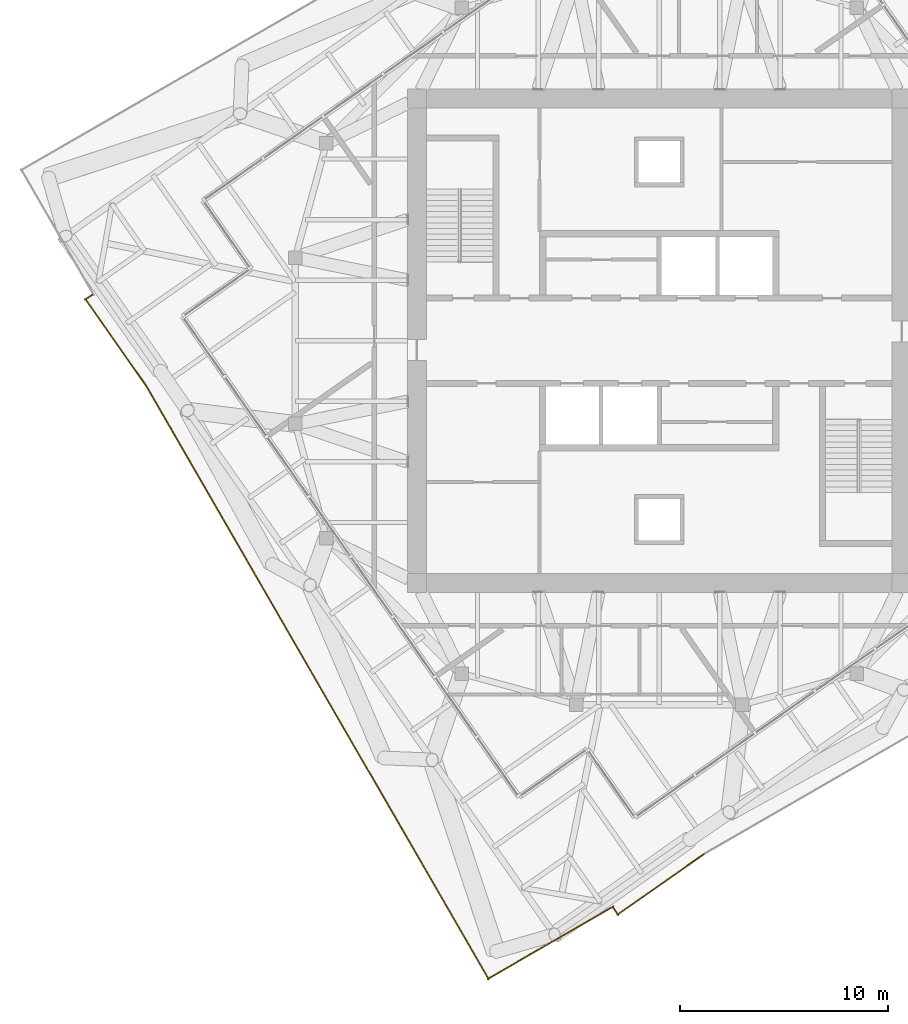
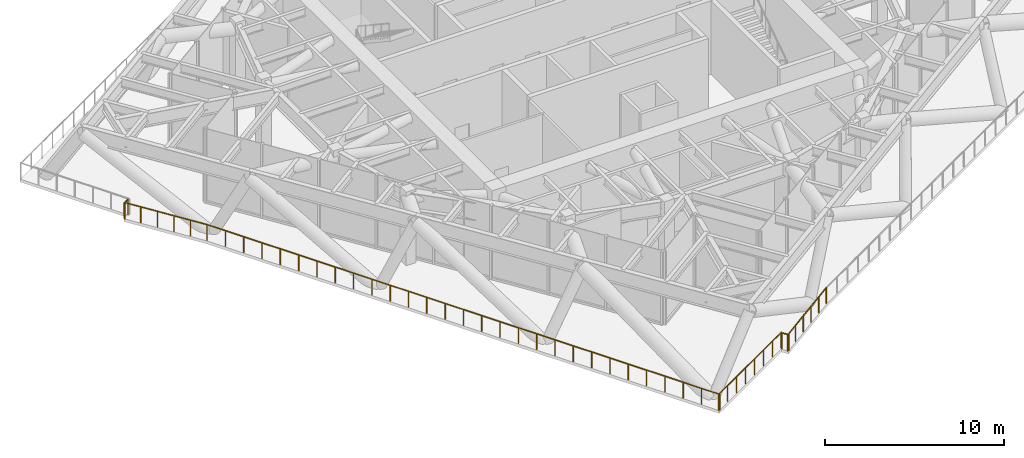
# One storey, part 12 of 16: 7 railings.
"""IFC4 building model written with IfcOpenShell, lengths in metres."""

from ifc_helpers import new_model, si_unit, direction, frame, origin, origin_2d, place, context, subcontext, project, spatial, circle, extrude, material, type_object, element, save


model = new_model("IFC4")

# Units and contexts
model_context = context("Model", 3, precision=1e-05, world=origin(), true_north=direction((0.0, 1.0)))
body_context = subcontext(model_context, "Body", "Model", "MODEL_VIEW")
ifc_project = project(units=[si_unit("LENGTHUNIT", "METRE"), si_unit("AREAUNIT", "SQUARE_METRE"), si_unit("VOLUMEUNIT", "CUBIC_METRE"), si_unit("PLANEANGLEUNIT", "RADIAN"), si_unit("MASSUNIT", "GRAM", prefix="KILO")], contexts=[model_context])

# Site, building, storey
site_placement = place(None, origin())
site = spatial("IfcSite", under=ifc_project, at=site_placement, CompositionType="ELEMENT")
building_placement = place(site_placement, origin())
building = spatial("IfcBuilding", under=site, at=building_placement, Name="Torsade Residences", CompositionType="ELEMENT")
storey_placement = place(building_placement, frame((0.0, 0.0, 235.39990234375)))
storey = spatial("IfcBuildingStorey", under=building, at=storey_placement, Name="L65", CompositionType="ELEMENT", Elevation=235.39990234375)

# Railings
ifc_material = material(Name="Galvanised steel guard rail", Category="steel")
railing_type = type_object("IfcRailingType", Name="ROOF EDGE GUARD 1100", PredefinedType="GUARDRAIL", material=ifc_material)
railing_1_placement = place(storey_placement, frame((35.20361328125, 1.3076171875, 0.0)))
element("IfcRailing", 1, at=railing_1_placement, inside=storey, type_object=railing_type, Name="Roof edge guard L65 1", PredefinedType="GUARDRAIL", context=body_context, shape_type="SweptSolid", body=[
    extrude(circle(Radius=0.02392578125, at=origin_2d()), frame((0.0, 0.0, 1.076171875), z_axis=(0.866000863443, 0.500042502709, 0.0), x_axis=(-0.500042502709, 0.866000863443, 0.0)), (0.0, 0.0, 1.0), 2.993408203125),
    extrude(circle(Radius=0.02099609375, at=origin_2d()), origin(), (0.0, 0.0, 1.0), 1.052001953125),
    extrude(circle(Radius=0.02099609375, at=origin_2d()), frame((0.864013671875, 0.4990234375, 0.0)), (0.0, 0.0, 1.0), 1.052001953125),
    extrude(circle(Radius=0.02099609375, at=origin_2d()), frame((1.728271484375, 0.997802734375, 0.0)), (0.0, 0.0, 1.0), 1.052001953125),
    extrude(circle(Radius=0.02099609375, at=origin_2d()), frame((2.59228515625, 1.496826171875, 0.0)), (0.0, 0.0, 1.0), 1.052001953125),
])
railing_2_placement = place(storey_placement, frame((37.782470703125, 2.743896484375, 0.0)))
element("IfcRailing", 2, at=railing_2_placement, inside=storey, type_object=railing_type, Name="Roof edge guard L65 2", PredefinedType="GUARDRAIL", context=body_context, shape_type="SweptSolid", body=[
    extrude(circle(Radius=0.02392578125, at=origin_2d()), frame((0.0, 0.0, 1.076171875), z_axis=(0.573425516096, -0.819257699073, 0.0), x_axis=(0.819257699073, 0.573425516096, 0.0)), (0.0, 0.0, 1.0), 0.44482421875),
    extrude(circle(Radius=0.02099609375, at=origin_2d()), origin(), (0.0, 0.0, 1.0), 1.052001953125),
    extrude(circle(Radius=0.02099609375, at=origin_2d()), frame((0.255126953125, -0.364501953125, 0.0)), (0.0, 0.0, 1.0), 1.052001953125),
])
railing_3_placement = place(storey_placement, frame((37.968017578125, 2.3916015625, 0.0)))
element("IfcRailing", 3, at=railing_3_placement, inside=storey, type_object=railing_type, Name="Roof edge guard L65 3", PredefinedType="GUARDRAIL", context=body_context, shape_type="SweptSolid", body=[
    extrude(circle(Radius=0.02392578125, at=origin_2d()), frame((0.0, 0.0, 1.076171875), z_axis=(0.819153075812, 0.573574963181, 0.0), x_axis=(-0.573574963181, 0.819153075812, 0.0)), (0.0, 0.0, 1.0), 5.092041015625),
    extrude(circle(Radius=0.02099609375, at=origin_2d()), origin(), (0.0, 0.0, 1.0), 1.052001953125),
    extrude(circle(Radius=0.02099609375, at=origin_2d()), frame((0.834228515625, 0.584228515625, 0.0)), (0.0, 0.0, 1.0), 1.052001953125),
    extrude(circle(Radius=0.02099609375, at=origin_2d()), frame((1.66845703125, 1.168212890625, 0.0)), (0.0, 0.0, 1.0), 1.052001953125),
    extrude(circle(Radius=0.02099609375, at=origin_2d()), frame((2.502685546875, 1.75244140625, 0.0)), (0.0, 0.0, 1.0), 1.052001953125),
    extrude(circle(Radius=0.02099609375, at=origin_2d()), frame((3.3369140625, 2.33642578125, 0.0)), (0.0, 0.0, 1.0), 1.052001953125),
    extrude(circle(Radius=0.02099609375, at=origin_2d()), frame((4.171142578125, 2.920654296875, 0.0)), (0.0, 0.0, 1.0), 1.052001953125),
])
railing_4_placement = place(storey_placement, frame((12.743896484375, 32.217529296875, 0.0)))
element("IfcRailing", 4, at=railing_4_placement, inside=storey, type_object=railing_type, Name="Roof edge guard L65 14", PredefinedType="GUARDRAIL", context=body_context, shape_type="SweptSolid", body=[
    extrude(circle(Radius=0.02392578125, at=origin_2d()), frame((0.0, 0.0, 1.076171875), z_axis=(-0.819257699073, -0.573425516096, 0.0), x_axis=(0.573425516096, -0.819257699073, 0.0)), (0.0, 0.0, 1.0), 0.44482421875),
    extrude(circle(Radius=0.02099609375, at=origin_2d()), origin(), (0.0, 0.0, 1.0), 1.052001953125),
    extrude(circle(Radius=0.02099609375, at=origin_2d()), frame((-0.364501953125, -0.255126953125, 0.0)), (0.0, 0.0, 1.0), 1.052001953125),
])
railing_5_placement = place(storey_placement, frame((12.3916015625, 32.031982421875, 0.0)))
element("IfcRailing", 5, at=railing_5_placement, inside=storey, type_object=railing_type, Name="Roof edge guard L65 15", PredefinedType="GUARDRAIL", context=body_context, shape_type="SweptSolid", body=[
    extrude(circle(Radius=0.02392578125, at=origin_2d()), frame((0.0, 0.0, 1.076171875), z_axis=(0.573574963181, -0.819153075812, 0.0), x_axis=(0.819153075812, 0.573574963181, 0.0)), (0.0, 0.0, 1.0), 5.092041015625),
    extrude(circle(Radius=0.02099609375, at=origin_2d()), origin(), (0.0, 0.0, 1.0), 1.052001953125),
    extrude(circle(Radius=0.02099609375, at=origin_2d()), frame((0.584228515625, -0.834228515625, 0.0)), (0.0, 0.0, 1.0), 1.052001953125),
    extrude(circle(Radius=0.02099609375, at=origin_2d()), frame((1.168212890625, -1.66845703125, 0.0)), (0.0, 0.0, 1.0), 1.052001953125),
    extrude(circle(Radius=0.02099609375, at=origin_2d()), frame((1.75244140625, -2.502685546875, 0.0)), (0.0, 0.0, 1.0), 1.052001953125),
    extrude(circle(Radius=0.02099609375, at=origin_2d()), frame((2.33642578125, -3.3369140625, 0.0)), (0.0, 0.0, 1.0), 1.052001953125),
    extrude(circle(Radius=0.02099609375, at=origin_2d()), frame((2.920654296875, -4.171142578125, 0.0)), (0.0, 0.0, 1.0), 1.052001953125),
])
railing_6_placement = place(storey_placement, frame((15.31201171875, 27.86083984375, 0.0)))
element("IfcRailing", 6, at=railing_6_placement, inside=storey, type_object=railing_type, Name="Roof edge guard L65 16", PredefinedType="GUARDRAIL", context=body_context, shape_type="SweptSolid", body=[
    extrude(circle(Radius=0.02392578125, at=origin_2d()), frame((0.0, 0.0, 1.076171875), z_axis=(0.49999597811, -0.866027725812, 0.0), x_axis=(0.866027725812, 0.49999597811, 0.0)), (0.0, 0.0, 1.0), 32.991455078125),
    extrude(circle(Radius=0.02099609375, at=origin_2d()), origin(), (0.0, 0.0, 1.0), 1.052001953125),
    extrude(circle(Radius=0.02099609375, at=origin_2d()), frame((0.589111328125, -1.0205078125, 0.0)), (0.0, 0.0, 1.0), 1.052001953125),
    extrude(circle(Radius=0.02099609375, at=origin_2d()), frame((1.17822265625, -2.040771484375, 0.0)), (0.0, 0.0, 1.0), 1.052001953125),
    extrude(circle(Radius=0.02099609375, at=origin_2d()), frame((1.767333984375, -3.061279296875, 0.0)), (0.0, 0.0, 1.0), 1.052001953125),
    extrude(circle(Radius=0.02099609375, at=origin_2d()), frame((2.3564453125, -4.08154296875, 0.0)), (0.0, 0.0, 1.0), 1.052001953125),
    extrude(circle(Radius=0.02099609375, at=origin_2d()), frame((2.945556640625, -5.10205078125, 0.0)), (0.0, 0.0, 1.0), 1.052001953125),
    extrude(circle(Radius=0.02099609375, at=origin_2d()), frame((3.53466796875, -6.12255859375, 0.0)), (0.0, 0.0, 1.0), 1.052001953125),
    extrude(circle(Radius=0.02099609375, at=origin_2d()), frame((4.1240234375, -7.142822265625, 0.0)), (0.0, 0.0, 1.0), 1.052001953125),
    extrude(circle(Radius=0.02099609375, at=origin_2d()), frame((4.713134765625, -8.163330078125, 0.0)), (0.0, 0.0, 1.0), 1.052001953125),
    extrude(circle(Radius=0.02099609375, at=origin_2d()), frame((5.30224609375, -9.18359375, 0.0)), (0.0, 0.0, 1.0), 1.052001953125),
    extrude(circle(Radius=0.02099609375, at=origin_2d()), frame((5.891357421875, -10.2041015625, 0.0)), (0.0, 0.0, 1.0), 1.052001953125),
    extrude(circle(Radius=0.02099609375, at=origin_2d()), frame((6.48046875, -11.224609375, 0.0)), (0.0, 0.0, 1.0), 1.052001953125),
    extrude(circle(Radius=0.02099609375, at=origin_2d()), frame((7.069580078125, -12.244873046875, 0.0)), (0.0, 0.0, 1.0), 1.052001953125),
    extrude(circle(Radius=0.02099609375, at=origin_2d()), frame((7.65869140625, -13.265380859375, 0.0)), (0.0, 0.0, 1.0), 1.052001953125),
    extrude(circle(Radius=0.02099609375, at=origin_2d()), frame((8.247802734375, -14.28564453125, 0.0)), (0.0, 0.0, 1.0), 1.052001953125),
    extrude(circle(Radius=0.02099609375, at=origin_2d()), frame((8.8369140625, -15.30615234375, 0.0)), (0.0, 0.0, 1.0), 1.052001953125),
    extrude(circle(Radius=0.02099609375, at=origin_2d()), frame((9.426025390625, -16.32666015625, 0.0)), (0.0, 0.0, 1.0), 1.052001953125),
    extrude(circle(Radius=0.02099609375, at=origin_2d()), frame((10.01513671875, -17.346923828125, 0.0)), (0.0, 0.0, 1.0), 1.052001953125),
    extrude(circle(Radius=0.02099609375, at=origin_2d()), frame((10.604248046875, -18.367431640625, 0.0)), (0.0, 0.0, 1.0), 1.052001953125),
    extrude(circle(Radius=0.02099609375, at=origin_2d()), frame((11.193359375, -19.387939453125, 0.0)), (0.0, 0.0, 1.0), 1.052001953125),
    extrude(circle(Radius=0.02099609375, at=origin_2d()), frame((11.782470703125, -20.408203125, 0.0)), (0.0, 0.0, 1.0), 1.052001953125),
    extrude(circle(Radius=0.02099609375, at=origin_2d()), frame((12.37158203125, -21.4287109375, 0.0)), (0.0, 0.0, 1.0), 1.052001953125),
    extrude(circle(Radius=0.02099609375, at=origin_2d()), frame((12.9609375, -22.448974609375, 0.0)), (0.0, 0.0, 1.0), 1.052001953125),
    extrude(circle(Radius=0.02099609375, at=origin_2d()), frame((13.550048828125, -23.469482421875, 0.0)), (0.0, 0.0, 1.0), 1.052001953125),
    extrude(circle(Radius=0.02099609375, at=origin_2d()), frame((14.13916015625, -24.489990234375, 0.0)), (0.0, 0.0, 1.0), 1.052001953125),
    extrude(circle(Radius=0.02099609375, at=origin_2d()), frame((14.728271484375, -25.51025390625, 0.0)), (0.0, 0.0, 1.0), 1.052001953125),
    extrude(circle(Radius=0.02099609375, at=origin_2d()), frame((15.3173828125, -26.53076171875, 0.0)), (0.0, 0.0, 1.0), 1.052001953125),
    extrude(circle(Radius=0.02099609375, at=origin_2d()), frame((15.906494140625, -27.551025390625, 0.0)), (0.0, 0.0, 1.0), 1.052001953125),
    extrude(circle(Radius=0.02099609375, at=origin_2d()), frame((16.49560546875, -28.571533203125, 0.0)), (0.0, 0.0, 1.0), 1.052001953125),
])
railing_7_placement = place(storey_placement, frame((31.739501953125, -0.6923828125, 0.0)))
element("IfcRailing", 7, at=railing_7_placement, inside=storey, type_object=railing_type, Name="Roof edge guard L65 17", PredefinedType="GUARDRAIL", context=body_context, shape_type="SweptSolid", body=[
    extrude(circle(Radius=0.02392578125, at=origin_2d()), frame((0.0, 0.0, 1.076171875), z_axis=(0.866026010844, 0.49999894854, 0.0), x_axis=(-0.49999894854, 0.866026010844, 0.0)), (0.0, 0.0, 1.0), 4.0),
    extrude(circle(Radius=0.02099609375, at=origin_2d()), origin(), (0.0, 0.0, 1.0), 1.052001953125),
    extrude(circle(Radius=0.02099609375, at=origin_2d()), frame((0.865966796875, 0.5, 0.0)), (0.0, 0.0, 1.0), 1.052001953125),
    extrude(circle(Radius=0.02099609375, at=origin_2d()), frame((1.73193359375, 1.0, 0.0)), (0.0, 0.0, 1.0), 1.052001953125),
    extrude(circle(Radius=0.02099609375, at=origin_2d()), frame((2.59814453125, 1.5, 0.0)), (0.0, 0.0, 1.0), 1.052001953125),
    extrude(circle(Radius=0.02099609375, at=origin_2d()), frame((3.464111328125, 2.0, 0.0)), (0.0, 0.0, 1.0), 1.052001953125),
])

save(model, "model.ifc")
